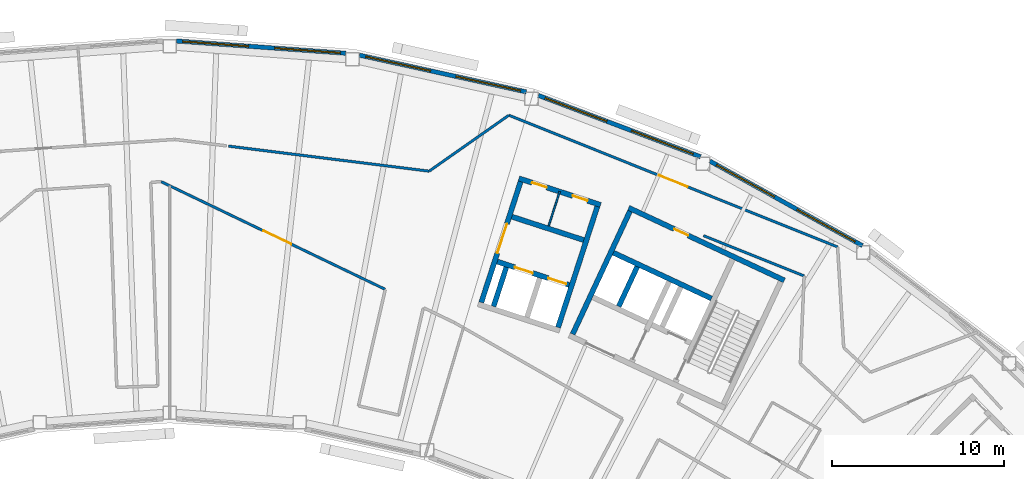
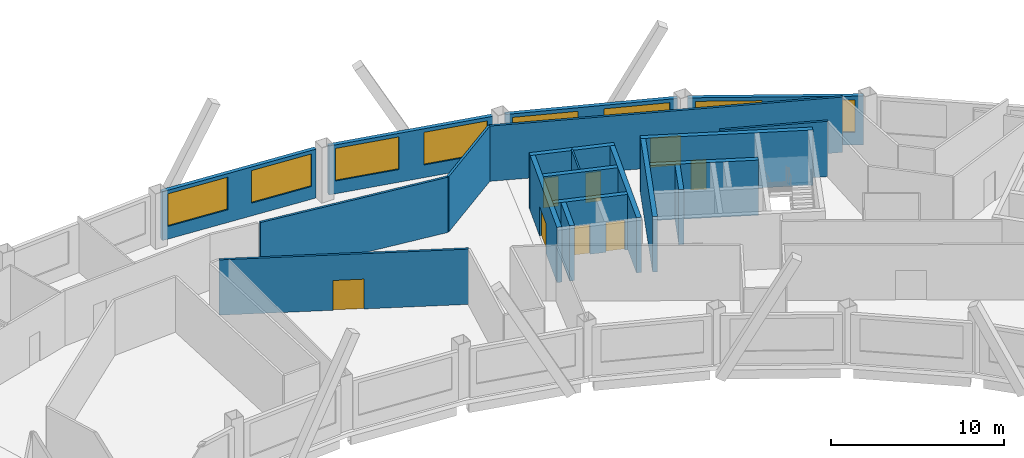
# One storey, part 9 of 12: 20 walls, 8 doors, 8 windows, 16 openings.
"""IFC4 building model written with IfcOpenShell, lengths in metres."""

from ifc_helpers import new_model, si_unit, direction, frame, frame_2d, origin, place, context, subcontext, project, spatial, rectangle, extrude, material, layer, layer_set, type_object, element, fill, save


model = new_model("IFC4")

# Units and contexts
model_context = context("Model", 3, precision=1e-05, world=origin(), true_north=direction((0.0, 1.0)))
body_context = subcontext(model_context, "Body", "Model", "MODEL_VIEW")
ifc_project = project(units=[si_unit("LENGTHUNIT", "METRE"), si_unit("AREAUNIT", "SQUARE_METRE"), si_unit("VOLUMEUNIT", "CUBIC_METRE"), si_unit("PLANEANGLEUNIT", "RADIAN"), si_unit("MASSUNIT", "GRAM", prefix="KILO")], contexts=[model_context])

# Site, building, storey
site_placement = place(None, origin())
site = spatial("IfcSite", under=ifc_project, at=site_placement, CompositionType="ELEMENT")
building_placement = place(site_placement, origin())
building = spatial("IfcBuilding", under=site, at=building_placement, Name="Tuul Gate Civic Tower", CompositionType="ELEMENT")
storey_placement = place(building_placement, frame((0.0, 0.0, 328.10009765625)))
storey = spatial("IfcBuildingStorey", under=building, at=storey_placement, Name="Level 74", CompositionType="ELEMENT", Elevation=328.10009765625)

# Wall
ifc_material_1 = material(Name="Concrete C50/60", Category="concrete")
ifc_layer_1 = layer(ifc_material_1, 0.300048828125)
ifc_layer_set_1 = layer_set([ifc_layer_1], Name="Concrete C50/60")
wall_type_1 = type_object("IfcWallType", Name="Core wall C50/60", PredefinedType="SHEAR", material=ifc_layer_set_1)
wall_1_placement = place(storey_placement, frame((33.75, -0.873779296875, 0.0), z_axis=(0.0, 0.0, 1.0), x_axis=(-0.906300917592, 0.422632992999, 0.0)))
element("IfcWall", 1, at=wall_1_placement, inside=storey, type_object=wall_type_1, Name="Core wall", PredefinedType="SHEAR", context=body_context, shape_type="SweptSolid", body=[
    extrude(rectangle(XDim=6.300048828125, YDim=0.300048828125, at=frame_2d((3.14990234375, 0.0))), origin(), (0.0, 0.0, 1.0), 3.89990234375),
])

# Wall, opening, door
wall_2_placement = place(storey_placement, frame((37.993408203125, 0.181884765625, 0.0), z_axis=(0.0, 0.0, 1.0), x_axis=(-0.906310338845, 0.422612789327, 0.0)))
wall_2 = element("IfcWall", 2, at=wall_2_placement, inside=storey, type_object=wall_type_1, Name="Core wall", PredefinedType="SHEAR", context=body_context, shape_type="SweptSolid", body=[
    extrude(rectangle(XDim=9.999755859375, YDim=0.300048828125, at=frame_2d((5.0, 0.0))), origin(), (0.0, 0.0, 1.0), 3.89990234375),
])
opening_1_placement = place(wall_2_placement, frame((6.175048828125, 0.0, 0.0)))
opening_1 = element("IfcOpeningElement", 3, at=opening_1_placement, cuts=wall_2, Name="Opening AB-D18", PredefinedType="OPENING", context=body_context, shape_type="SweptSolid", body=[
    extrude(rectangle(XDim=0.89990234375, YDim=2.10009765625, at=frame_2d((0.449951171875, 1.050048828125))), frame((0.0, 0.16015625, 0.0), z_axis=(0.0, -1.0, 0.0), x_axis=(1.0, 0.0, 0.0)), (0.0, 0.0, 1.0), 0.320068359375),
])
ifc_material_2 = material(Name="Timber door leaf", Category="wood")
door_type_1 = type_object("IfcDoorType", Name="Door D09", OperationType="NOTDEFINED", PredefinedType="DOOR", material=ifc_material_2)
door_1_placement = place(opening_1_placement, origin())
door_1 = element("IfcDoor", 4, at=door_1_placement, inside=storey, type_object=door_type_1, Name="Door AB-D18", OperationType="SINGLE_SWING_LEFT", OverallHeight=2.10009765625, OverallWidth=0.89990234375, PredefinedType="DOOR", context=body_context, shape_type="SweptSolid", body=[
    extrude(rectangle(XDim=0.89990234375, YDim=2.10009765625, at=frame_2d((0.449951171875, 1.050048828125))), frame((0.0, 0.02490234375, 0.0), z_axis=(0.0, -1.0, 0.0), x_axis=(1.0, 0.0, 0.0)), (0.0, 0.0, 1.0), 0.050048828125),
])
fill(opening_1, door_1)

# Walls
wall_3_placement = place(storey_placement, frame((28.349365234375, -1.33447265625, 0.0), z_axis=(0.0, 0.0, 1.0), x_axis=(0.422612891016, 0.906310291427, 0.0)))
element("IfcWall", 5, at=wall_3_placement, inside=storey, type_object=wall_type_1, Name="Core wall", PredefinedType="SHEAR", context=body_context, shape_type="SweptSolid", body=[
    extrude(rectangle(XDim=2.550048828125, YDim=0.300048828125, at=frame_2d((1.27490234375, 0.0))), origin(), (0.0, 0.0, 1.0), 3.89990234375),
])
wall_4_placement = place(storey_placement, frame((25.66455078125, -2.951416015625, 0.0), z_axis=(0.0, 0.0, 1.0), x_axis=(0.422582604137, 0.906324413596, 0.0)))
element("IfcWall", 6, at=wall_4_placement, inside=storey, type_object=wall_type_1, Name="Core wall", PredefinedType="SHEAR", context=body_context, shape_type="SweptSolid", body=[
    extrude(rectangle(XDim=7.89990234375, YDim=0.300048828125, at=frame_2d((3.949951171875, 0.0))), origin(), (0.0, 0.0, 1.0), 3.89990234375),
])

# Wall, opening, door
ifc_material_3 = material(Name="Gypsum board partition")
ifc_layer_2 = layer(ifc_material_3, 0.14990234375)
ifc_layer_set_2 = layer_set([ifc_layer_2], Name="Gypsum board partition")
wall_type_2 = type_object("IfcWallType", Name="Corridor wall P150", PredefinedType="PARTITIONING", material=ifc_layer_set_2)
wall_5_placement = place(storey_placement, frame((21.94970703125, 9.802490234375, 0.0), z_axis=(0.0, 0.0, 1.0), x_axis=(0.928202204222, -0.372076158975, 0.0)))
wall_5 = element("IfcWall", 7, at=wall_5_placement, inside=storey, type_object=wall_type_2, Name="p011", PredefinedType="PARTITIONING", context=body_context, shape_type="SweptSolid", body=[
    extrude(rectangle(XDim=20.629638671875, YDim=0.14990234375, at=frame_2d((10.31494140625, 0.0))), origin(), (0.0, 0.0, 1.0), 3.89990234375),
])
opening_2_placement = place(wall_5_placement, frame((9.414794921875, 0.0, 0.0)))
opening_2 = element("IfcOpeningElement", 8, at=opening_2_placement, cuts=wall_5, Name="Opening AB-D01", PredefinedType="OPENING", context=body_context, shape_type="SweptSolid", body=[
    extrude(rectangle(XDim=1.800048828125, YDim=2.10009765625, at=frame_2d((0.89990234375, 1.050048828125))), frame((0.0, 0.0849609375, 0.0), z_axis=(0.0, -1.0, 0.0), x_axis=(1.0, 0.0, 0.0)), (0.0, 0.0, 1.0), 0.169921875),
])
ifc_material_4 = material(Name="Timber door leaf, double", Category="wood")
door_type_2 = type_object("IfcDoorType", Name="Door D18", OperationType="DOUBLE_DOOR_SINGLE_SWING", PredefinedType="DOOR", material=ifc_material_4)
door_2_placement = place(opening_2_placement, origin())
door_2 = element("IfcDoor", 9, at=door_2_placement, inside=storey, type_object=door_type_2, Name="Door AB-D01", OperationType="DOUBLE_DOOR_SINGLE_SWING", OverallHeight=2.10009765625, OverallWidth=1.800048828125, PredefinedType="DOOR", context=body_context, shape_type="SweptSolid", body=[
    extrude(rectangle(XDim=1.800048828125, YDim=2.10009765625, at=frame_2d((0.89990234375, 1.050048828125))), frame((0.0, 0.02490234375, 0.0), z_axis=(0.0, -1.0, 0.0), x_axis=(1.0, 0.0, 0.0)), (0.0, 0.0, 1.0), 0.050048828125),
])
fill(opening_2, door_2)

# Walls
wall_6_placement = place(storey_placement, frame((17.305908203125, 6.5439453125, 0.0), z_axis=(0.0, 0.0, 1.0), x_axis=(0.818578347198, 0.574394889861, 0.0)))
element("IfcWall", 10, at=wall_6_placement, inside=storey, type_object=wall_type_2, Name="p012", PredefinedType="PARTITIONING", context=body_context, shape_type="SweptSolid", body=[
    extrude(rectangle(XDim=5.673095703125, YDim=0.14990234375, at=frame_2d((2.83642578125, 0.0))), origin(), (0.0, 0.0, 1.0), 3.89990234375),
])
wall_7_placement = place(storey_placement, frame((5.622802734375, 8.000732421875, 0.0), z_axis=(0.0, 0.0, 1.0), x_axis=(0.992297019346, -0.123881497396, 0.0)))
element("IfcWall", 11, at=wall_7_placement, inside=storey, type_object=wall_type_2, Name="p014", PredefinedType="PARTITIONING", context=body_context, shape_type="SweptSolid", body=[
    extrude(rectangle(XDim=11.765380859375, YDim=0.14990234375, at=frame_2d((5.8828125, 0.0))), origin(), (0.0, 0.0, 1.0), 3.89990234375),
])

# Wall, opening, door
wall_8_placement = place(storey_placement, frame((1.69091796875, 5.9326171875, 0.0), z_axis=(0.0, 0.0, 1.0), x_axis=(0.901298658641, -0.433198254766, 0.0)))
wall_8 = element("IfcWall", 12, at=wall_8_placement, inside=storey, type_object=wall_type_2, Name="p044", PredefinedType="PARTITIONING", context=body_context, shape_type="SweptSolid", body=[
    extrude(rectangle(XDim=14.47265625, YDim=0.14990234375, at=frame_2d((7.236328125, 0.0))), origin(), (0.0, 0.0, 1.0), 3.89990234375),
])
opening_3_placement = place(wall_8_placement, frame((6.6142578125, 0.0, 0.0)))
opening_3 = element("IfcOpeningElement", 13, at=opening_3_placement, cuts=wall_8, Name="Opening AB-D07", PredefinedType="OPENING", context=body_context, shape_type="SweptSolid", body=[
    extrude(rectangle(XDim=1.800048828125, YDim=2.10009765625, at=frame_2d((0.89990234375, 1.050048828125))), frame((0.0, 0.0849609375, 0.0), z_axis=(0.0, -1.0, 0.0), x_axis=(1.0, 0.0, 0.0)), (0.0, 0.0, 1.0), 0.169921875),
])
door_3_placement = place(opening_3_placement, frame((1.800048828125, 0.0, 0.0), z_axis=(0.0, 0.0, 1.0), x_axis=(-1.0, 0.0, 0.0)))
door_3 = element("IfcDoor", 14, at=door_3_placement, inside=storey, type_object=door_type_2, Name="Door AB-D07", OperationType="DOUBLE_DOOR_SINGLE_SWING", OverallHeight=2.10009765625, OverallWidth=1.800048828125, PredefinedType="DOOR", context=body_context, shape_type="SweptSolid", body=[
    extrude(rectangle(XDim=1.800048828125, YDim=2.10009765625, at=frame_2d((0.900146484375, 1.050048828125))), frame((0.0, 0.02490234375, 0.0), z_axis=(0.0, -1.0, 0.0), x_axis=(1.0, 0.0, 0.0)), (0.0, 0.0, 1.0), 0.050048828125),
])
fill(opening_3, door_3)

# Wall
wall_9_placement = place(storey_placement, frame((33.290771484375, 2.784912109375, 0.0), z_axis=(0.0, 0.0, 1.0), x_axis=(0.928223080545, -0.37202407549, 0.0)))
element("IfcWall", 15, at=wall_9_placement, inside=storey, type_object=wall_type_2, Name="p079", PredefinedType="PARTITIONING", context=body_context, shape_type="SweptSolid", body=[
    extrude(rectangle(XDim=6.3125, YDim=0.14990234375, at=frame_2d((3.15625, 0.0))), origin(), (0.0, 0.0, 1.0), 3.89990234375),
])

# Wall, openings, windows
ifc_material_5 = material(Name="Precast concrete C40/50", Category="concrete")
ifc_layer_3 = layer(ifc_material_5, 0.25)
ifc_layer_set_3 = layer_set([ifc_layer_3], Name="Precast concrete C40/50")
wall_type_3 = type_object("IfcWallType", Name="External wall", PredefinedType="STANDARD", material=ifc_layer_set_3)
wall_10_placement = place(storey_placement, frame((42.54345703125, 2.205078125, 0.0), z_axis=(0.0, 0.0, 1.0), x_axis=(-0.87463511472, 0.484781823193, 0.0)))
wall_10 = element("IfcWall", 16, at=wall_10_placement, inside=storey, type_object=wall_type_3, Name="External wall", PredefinedType="STANDARD", context=body_context, shape_type="SweptSolid", body=[
    extrude(rectangle(XDim=10.161376953125, YDim=0.25, at=frame_2d((5.08056640625, 0.0))), origin(), (0.0, 0.0, 1.0), 3.449951171875),
])
opening_4_placement = place(wall_10_placement, frame((0.48974609375, 0.0, 0.89990234375)))
opening_4 = element("IfcOpeningElement", 17, at=opening_4_placement, cuts=wall_10, Name="Opening W22", PredefinedType="OPENING", context=body_context, shape_type="SweptSolid", body=[
    extrude(rectangle(XDim=3.85009765625, YDim=2.300048828125, at=frame_2d((1.925048828125, 1.14990234375))), frame((0.0, 0.135009765625, 0.0), z_axis=(0.0, -1.0, 0.0), x_axis=(1.0, 0.0, 0.0)), (0.0, 0.0, 1.0), 0.27001953125),
])
opening_5_placement = place(wall_10_placement, frame((5.861328125, 0.0, 0.89990234375)))
opening_5 = element("IfcOpeningElement", 18, at=opening_5_placement, cuts=wall_10, Name="Opening W22", PredefinedType="OPENING", context=body_context, shape_type="SweptSolid", body=[
    extrude(rectangle(XDim=3.85009765625, YDim=2.300048828125, at=frame_2d((1.925048828125, 1.14990234375))), frame((0.0, 0.135009765625, 0.0), z_axis=(0.0, -1.0, 0.0), x_axis=(1.0, 0.0, 0.0)), (0.0, 0.0, 1.0), 0.27001953125),
])
ifc_material_6 = material(Name="Glass", Category="glass")
window_type = type_object("IfcWindowType", Name="Window W22 3850 x 2300", PartitioningType="SINGLE_PANEL", PredefinedType="WINDOW", material=ifc_material_6)
window_1_placement = place(opening_4_placement, origin())
window_1 = element("IfcWindow", 19, at=window_1_placement, inside=storey, type_object=window_type, Name="Window", OverallHeight=2.300048828125, OverallWidth=3.85009765625, PartitioningType="SINGLE_PANEL", PredefinedType="WINDOW", context=body_context, shape_type="SweptSolid", body=[
    extrude(rectangle(XDim=3.85009765625, YDim=2.300048828125, at=frame_2d((1.925048828125, 1.14990234375))), frame((0.0, 0.030029296875, 0.0), z_axis=(0.0, -1.0, 0.0), x_axis=(1.0, 0.0, 0.0)), (0.0, 0.0, 1.0), 0.06005859375),
])
fill(opening_4, window_1)
window_2_placement = place(opening_5_placement, origin())
window_2 = element("IfcWindow", 20, at=window_2_placement, inside=storey, type_object=window_type, Name="Window", OverallHeight=2.300048828125, OverallWidth=3.85009765625, PartitioningType="SINGLE_PANEL", PredefinedType="WINDOW", context=body_context, shape_type="SweptSolid", body=[
    extrude(rectangle(XDim=3.85009765625, YDim=2.300048828125, at=frame_2d((1.925048828125, 1.14990234375))), frame((0.0, 0.030029296875, 0.0), z_axis=(0.0, -1.0, 0.0), x_axis=(1.0, 0.0, 0.0)), (0.0, 0.0, 1.0), 0.06005859375),
])
fill(opening_5, window_2)

wall_11_placement = place(storey_placement, frame((33.115478515625, 7.382080078125, 0.0), z_axis=(0.0, 0.0, 1.0), x_axis=(-0.93534700963, 0.353731496444, 0.0)))
wall_11 = element("IfcWall", 21, at=wall_11_placement, inside=storey, type_object=wall_type_3, Name="External wall", PredefinedType="STANDARD", context=body_context, shape_type="SweptSolid", body=[
    extrude(rectangle(XDim=10.099609375, YDim=0.25, at=frame_2d((5.0498046875, 0.0))), origin(), (0.0, 0.0, 1.0), 3.449951171875),
])
opening_6_placement = place(wall_11_placement, frame((0.45556640625, 0.0, 0.89990234375)))
opening_6 = element("IfcOpeningElement", 22, at=opening_6_placement, cuts=wall_11, Name="Opening W22", PredefinedType="OPENING", context=body_context, shape_type="SweptSolid", body=[
    extrude(rectangle(XDim=3.85009765625, YDim=2.300048828125, at=frame_2d((1.925048828125, 1.14990234375))), frame((0.0, 0.135009765625, 0.0), z_axis=(0.0, -1.0, 0.0), x_axis=(1.0, 0.0, 0.0)), (0.0, 0.0, 1.0), 0.27001953125),
])
opening_7_placement = place(wall_11_placement, frame((5.826904296875, 0.0, 0.89990234375)))
opening_7 = element("IfcOpeningElement", 23, at=opening_7_placement, cuts=wall_11, Name="Opening W22", PredefinedType="OPENING", context=body_context, shape_type="SweptSolid", body=[
    extrude(rectangle(XDim=3.85009765625, YDim=2.300048828125, at=frame_2d((1.925048828125, 1.14990234375))), frame((0.0, 0.135009765625, 0.0), z_axis=(0.0, -1.0, 0.0), x_axis=(1.0, 0.0, 0.0)), (0.0, 0.0, 1.0), 0.27001953125),
])
window_3_placement = place(opening_6_placement, origin())
window_3 = element("IfcWindow", 24, at=window_3_placement, inside=storey, type_object=window_type, Name="Window", OverallHeight=2.300048828125, OverallWidth=3.85009765625, PartitioningType="SINGLE_PANEL", PredefinedType="WINDOW", context=body_context, shape_type="SweptSolid", body=[
    extrude(rectangle(XDim=3.85009765625, YDim=2.300048828125, at=frame_2d((1.925048828125, 1.14990234375))), frame((0.0, 0.030029296875, 0.0), z_axis=(0.0, -1.0, 0.0), x_axis=(1.0, 0.0, 0.0)), (0.0, 0.0, 1.0), 0.06005859375),
])
fill(opening_6, window_3)
window_4_placement = place(opening_7_placement, origin())
window_4 = element("IfcWindow", 25, at=window_4_placement, inside=storey, type_object=window_type, Name="Window", OverallHeight=2.300048828125, OverallWidth=3.85009765625, PartitioningType="SINGLE_PANEL", PredefinedType="WINDOW", context=body_context, shape_type="SweptSolid", body=[
    extrude(rectangle(XDim=3.85009765625, YDim=2.300048828125, at=frame_2d((1.925048828125, 1.14990234375))), frame((0.0, 0.030029296875, 0.0), z_axis=(0.0, -1.0, 0.0), x_axis=(1.0, 0.0, 0.0)), (0.0, 0.0, 1.0), 0.06005859375),
])
fill(opening_7, window_4)

wall_12_placement = place(storey_placement, frame((22.9658203125, 11.157958984375, 0.0), z_axis=(0.0, 0.0, 1.0), x_axis=(-0.976563421064, 0.215229841426, 0.0)))
wall_12 = element("IfcWall", 26, at=wall_12_placement, inside=storey, type_object=wall_type_3, Name="External wall", PredefinedType="STANDARD", context=body_context, shape_type="SweptSolid", body=[
    extrude(rectangle(XDim=9.958251953125, YDim=0.25, at=frame_2d((4.97900390625, 0.0))), origin(), (0.0, 0.0, 1.0), 3.449951171875),
])
opening_8_placement = place(wall_12_placement, frame((0.346923828125, 0.0, 0.89990234375)))
opening_8 = element("IfcOpeningElement", 27, at=opening_8_placement, cuts=wall_12, Name="Opening W22", PredefinedType="OPENING", context=body_context, shape_type="SweptSolid", body=[
    extrude(rectangle(XDim=3.85009765625, YDim=2.300048828125, at=frame_2d((1.925048828125, 1.14990234375))), frame((0.0, 0.135009765625, 0.0), z_axis=(0.0, -1.0, 0.0), x_axis=(1.0, 0.0, 0.0)), (0.0, 0.0, 1.0), 0.27001953125),
])
opening_9_placement = place(wall_12_placement, frame((5.71826171875, 0.0, 0.89990234375)))
opening_9 = element("IfcOpeningElement", 28, at=opening_9_placement, cuts=wall_12, Name="Opening W22", PredefinedType="OPENING", context=body_context, shape_type="SweptSolid", body=[
    extrude(rectangle(XDim=3.85009765625, YDim=2.300048828125, at=frame_2d((1.925048828125, 1.14990234375))), frame((0.0, 0.135009765625, 0.0), z_axis=(0.0, -1.0, 0.0), x_axis=(1.0, 0.0, 0.0)), (0.0, 0.0, 1.0), 0.27001953125),
])
window_5_placement = place(opening_8_placement, origin())
window_5 = element("IfcWindow", 29, at=window_5_placement, inside=storey, type_object=window_type, Name="Window", OverallHeight=2.300048828125, OverallWidth=3.85009765625, PartitioningType="SINGLE_PANEL", PredefinedType="WINDOW", context=body_context, shape_type="SweptSolid", body=[
    extrude(rectangle(XDim=3.85009765625, YDim=2.300048828125, at=frame_2d((1.925048828125, 1.14990234375))), frame((0.0, 0.030029296875, 0.0), z_axis=(0.0, -1.0, 0.0), x_axis=(1.0, 0.0, 0.0)), (0.0, 0.0, 1.0), 0.06005859375),
])
fill(opening_8, window_5)
window_6_placement = place(opening_9_placement, origin())
window_6 = element("IfcWindow", 30, at=window_6_placement, inside=storey, type_object=window_type, Name="Window", OverallHeight=2.300048828125, OverallWidth=3.85009765625, PartitioningType="SINGLE_PANEL", PredefinedType="WINDOW", context=body_context, shape_type="SweptSolid", body=[
    extrude(rectangle(XDim=3.85009765625, YDim=2.300048828125, at=frame_2d((1.925048828125, 1.14990234375))), frame((0.0, 0.030029296875, 0.0), z_axis=(0.0, -1.0, 0.0), x_axis=(1.0, 0.0, 0.0)), (0.0, 0.0, 1.0), 0.06005859375),
])
fill(opening_9, window_6)

wall_13_placement = place(storey_placement, frame((12.44091796875, 13.411376953125, 0.0), z_axis=(0.0, 0.0, 1.0), x_axis=(-0.997387042659, 0.072243249762, 0.0)))
wall_13 = element("IfcWall", 31, at=wall_13_placement, inside=storey, type_object=wall_type_3, Name="External wall", PredefinedType="STANDARD", context=body_context, shape_type="SweptSolid", body=[
    extrude(rectangle(XDim=9.874755859375, YDim=0.25, at=frame_2d((4.9375, 0.0))), origin(), (0.0, 0.0, 1.0), 3.449951171875),
])
opening_10_placement = place(wall_13_placement, frame((0.303466796875, 0.0, 0.89990234375)))
opening_10 = element("IfcOpeningElement", 32, at=opening_10_placement, cuts=wall_13, Name="Opening W22", PredefinedType="OPENING", context=body_context, shape_type="SweptSolid", body=[
    extrude(rectangle(XDim=3.85009765625, YDim=2.300048828125, at=frame_2d((1.925048828125, 1.14990234375))), frame((0.0, 0.135009765625, 0.0), z_axis=(0.0, -1.0, 0.0), x_axis=(1.0, 0.0, 0.0)), (0.0, 0.0, 1.0), 0.27001953125),
])
opening_11_placement = place(wall_13_placement, frame((5.67431640625, 0.0, 0.89990234375)))
opening_11 = element("IfcOpeningElement", 33, at=opening_11_placement, cuts=wall_13, Name="Opening W22", PredefinedType="OPENING", context=body_context, shape_type="SweptSolid", body=[
    extrude(rectangle(XDim=3.85009765625, YDim=2.300048828125, at=frame_2d((1.925048828125, 1.14990234375))), frame((0.0, 0.135009765625, 0.0), z_axis=(0.0, -1.0, 0.0), x_axis=(1.0, 0.0, 0.0)), (0.0, 0.0, 1.0), 0.27001953125),
])
window_7_placement = place(opening_10_placement, origin())
window_7 = element("IfcWindow", 34, at=window_7_placement, inside=storey, type_object=window_type, Name="Window", OverallHeight=2.300048828125, OverallWidth=3.85009765625, PartitioningType="SINGLE_PANEL", PredefinedType="WINDOW", context=body_context, shape_type="SweptSolid", body=[
    extrude(rectangle(XDim=3.85009765625, YDim=2.300048828125, at=frame_2d((1.925048828125, 1.14990234375))), frame((0.0, 0.030029296875, 0.0), z_axis=(0.0, -1.0, 0.0), x_axis=(1.0, 0.0, 0.0)), (0.0, 0.0, 1.0), 0.06005859375),
])
fill(opening_10, window_7)
window_8_placement = place(opening_11_placement, origin())
window_8 = element("IfcWindow", 35, at=window_8_placement, inside=storey, type_object=window_type, Name="Window", OverallHeight=2.300048828125, OverallWidth=3.85009765625, PartitioningType="SINGLE_PANEL", PredefinedType="WINDOW", context=body_context, shape_type="SweptSolid", body=[
    extrude(rectangle(XDim=3.85009765625, YDim=2.300048828125, at=frame_2d((1.925048828125, 1.14990234375))), frame((0.0, 0.030029296875, 0.0), z_axis=(0.0, -1.0, 0.0), x_axis=(1.0, 0.0, 0.0)), (0.0, 0.0, 1.0), 0.06005859375),
])
fill(opening_11, window_8)

# Wall, openings, doors
ifc_material_7 = material(Name="Concrete C40/50", Category="concrete")
ifc_layer_4 = layer(ifc_material_7, 0.300048828125)
ifc_layer_set_4 = layer_set([ifc_layer_4], Name="Concrete C40/50")
wall_type_4 = type_object("IfcWallType", Name="Lift shaft wall C40/50", PredefinedType="STANDARD", material=ifc_layer_set_4)
wall_14_placement = place(storey_placement, frame((25.460693359375, -0.0859375, 0.0), z_axis=(0.0, 0.0, 1.0), x_axis=(-0.951063829732, 0.308994485023, 0.0)))
wall_14 = element("IfcWall", 36, at=wall_14_placement, inside=storey, type_object=wall_type_4, Name="Shaft wall", PredefinedType="STANDARD", context=body_context, shape_type="SweptSolid", body=[
    extrude(rectangle(XDim=4.400146484375, YDim=0.300048828125, at=frame_2d((2.2001953125, 0.0))), origin(), (0.0, 0.0, 1.0), 3.89990234375),
])
opening_12_placement = place(wall_14_placement, frame((0.175048828125, 0.0, 0.0)))
opening_12 = element("IfcOpeningElement", 37, at=opening_12_placement, cuts=wall_14, Name="Opening LD-H2", PredefinedType="OPENING", context=body_context, shape_type="SweptSolid", body=[
    extrude(rectangle(XDim=1.10009765625, YDim=2.10009765625, at=frame_2d((0.550048828125, 1.050048828125))), frame((0.0, 0.16015625, 0.0), z_axis=(0.0, -1.0, 0.0), x_axis=(1.0, 0.0, 0.0)), (0.0, 0.0, 1.0), 0.320068359375),
])
opening_13_placement = place(wall_14_placement, frame((2.22509765625, 0.0, 0.0)))
opening_13 = element("IfcOpeningElement", 38, at=opening_13_placement, cuts=wall_14, Name="Opening LD-H3", PredefinedType="OPENING", context=body_context, shape_type="SweptSolid", body=[
    extrude(rectangle(XDim=1.10009765625, YDim=2.10009765625, at=frame_2d((0.550048828125, 1.050048828125))), frame((0.0, 0.16015625, 0.0), z_axis=(0.0, -1.0, 0.0), x_axis=(1.0, 0.0, 0.0)), (0.0, 0.0, 1.0), 0.320068359375),
])
ifc_material_8 = material(Name="Stainless steel", Category="steel")
door_type_3 = type_object("IfcDoorType", Name="Landing door", OperationType="DOUBLE_DOOR_SLIDING", PredefinedType="DOOR", material=ifc_material_8)
door_4_placement = place(opening_12_placement, origin())
door_4 = element("IfcDoor", 39, at=door_4_placement, inside=storey, type_object=door_type_3, Name="High-rise lift H2 landing door", OperationType="DOUBLE_DOOR_SLIDING", OverallHeight=2.10009765625, OverallWidth=1.10009765625, PredefinedType="DOOR", context=body_context, shape_type="SweptSolid", body=[
    extrude(rectangle(XDim=1.10009765625, YDim=2.10009765625, at=frame_2d((0.550048828125, 1.050048828125))), frame((0.0, 0.02490234375, 0.0), z_axis=(0.0, -1.0, 0.0), x_axis=(1.0, 0.0, 0.0)), (0.0, 0.0, 1.0), 0.050048828125),
])
fill(opening_12, door_4)
door_5_placement = place(opening_13_placement, origin())
door_5 = element("IfcDoor", 40, at=door_5_placement, inside=storey, type_object=door_type_3, Name="High-rise lift H3 landing door", OperationType="DOUBLE_DOOR_SLIDING", OverallHeight=2.10009765625, OverallWidth=1.10009765625, PredefinedType="DOOR", context=body_context, shape_type="SweptSolid", body=[
    extrude(rectangle(XDim=1.10009765625, YDim=2.10009765625, at=frame_2d((0.550048828125, 1.050048828125))), frame((0.0, 0.02490234375, 0.0), z_axis=(0.0, -1.0, 0.0), x_axis=(1.0, 0.0, 0.0)), (0.0, 0.0, 1.0), 0.050048828125),
])
fill(opening_13, door_5)

# Wall
wall_15_placement = place(storey_placement, frame((26.310546875, 2.529541015625, 0.0), z_axis=(0.0, 0.0, 1.0), x_axis=(-0.951058531764, 0.30901079133, 0.0)))
element("IfcWall", 41, at=wall_15_placement, inside=storey, type_object=wall_type_4, Name="Shaft wall", PredefinedType="STANDARD", context=body_context, shape_type="SweptSolid", body=[
    extrude(rectangle(XDim=4.39990234375, YDim=0.300048828125, at=frame_2d((2.199951171875, 0.0))), origin(), (0.0, 0.0, 1.0), 3.89990234375),
])

# Wall, openings, doors
wall_16_placement = place(storey_placement, frame((27.29150390625, 4.57666015625, 0.0), z_axis=(0.0, 0.0, 1.0), x_axis=(-0.951067792613, 0.308982287281, 0.0)))
wall_16 = element("IfcWall", 42, at=wall_16_placement, inside=storey, type_object=wall_type_4, Name="Shaft wall", PredefinedType="STANDARD", context=body_context, shape_type="SweptSolid", body=[
    extrude(rectangle(XDim=5.0, YDim=0.300048828125, at=frame_2d((2.5, 0.0))), origin(), (0.0, 0.0, 1.0), 3.89990234375),
])
opening_14_placement = place(wall_16_placement, frame((0.800048828125, 0.0, 0.0)))
opening_14 = element("IfcOpeningElement", 43, at=opening_14_placement, cuts=wall_16, Name="Opening AB-D19", PredefinedType="OPENING", context=body_context, shape_type="SweptSolid", body=[
    extrude(rectangle(XDim=0.89990234375, YDim=2.10009765625, at=frame_2d((0.449951171875, 1.050048828125))), frame((0.0, 0.16015625, 0.0), z_axis=(0.0, -1.0, 0.0), x_axis=(1.0, 0.0, 0.0)), (0.0, 0.0, 1.0), 0.320068359375),
])
opening_15_placement = place(wall_16_placement, frame((3.300048828125, 0.0, 0.0)))
opening_15 = element("IfcOpeningElement", 44, at=opening_15_placement, cuts=wall_16, Name="Opening AB-D20", PredefinedType="OPENING", context=body_context, shape_type="SweptSolid", body=[
    extrude(rectangle(XDim=0.89990234375, YDim=2.10009765625, at=frame_2d((0.449951171875, 1.050048828125))), frame((0.0, 0.16015625, 0.0), z_axis=(0.0, -1.0, 0.0), x_axis=(1.0, 0.0, 0.0)), (0.0, 0.0, 1.0), 0.320068359375),
])
door_6_placement = place(opening_14_placement, origin())
door_6 = element("IfcDoor", 45, at=door_6_placement, inside=storey, type_object=door_type_1, Name="Door AB-D19", OperationType="SINGLE_SWING_LEFT", OverallHeight=2.10009765625, OverallWidth=0.89990234375, PredefinedType="DOOR", context=body_context, shape_type="SweptSolid", body=[
    extrude(rectangle(XDim=0.89990234375, YDim=2.10009765625, at=frame_2d((0.449951171875, 1.050048828125))), frame((0.0, 0.02490234375, 0.0), z_axis=(0.0, -1.0, 0.0), x_axis=(1.0, 0.0, 0.0)), (0.0, 0.0, 1.0), 0.050048828125),
])
fill(opening_14, door_6)
door_7_placement = place(opening_15_placement, origin())
door_7 = element("IfcDoor", 46, at=door_7_placement, inside=storey, type_object=door_type_1, Name="Door AB-D20", OperationType="SINGLE_SWING_RIGHT", OverallHeight=2.10009765625, OverallWidth=0.89990234375, PredefinedType="DOOR", context=body_context, shape_type="SweptSolid", body=[
    extrude(rectangle(XDim=0.89990234375, YDim=2.10009765625, at=frame_2d((0.449951171875, 1.050048828125))), frame((0.0, 0.02490234375, 0.0), z_axis=(0.0, -1.0, 0.0), x_axis=(1.0, 0.0, 0.0)), (0.0, 0.0, 1.0), 0.050048828125),
])
fill(opening_15, door_7)

# Walls
wall_17_placement = place(storey_placement, frame((24.815185546875, -2.557373046875, 0.0), z_axis=(0.0, 0.0, 1.0), x_axis=(0.30907264409, 0.951038432807, 0.0)))
element("IfcWall", 47, at=wall_17_placement, inside=storey, type_object=wall_type_4, Name="Shaft wall", PredefinedType="STANDARD", context=body_context, shape_type="SweptSolid", body=[
    extrude(rectangle(XDim=7.39990234375, YDim=0.300048828125, at=frame_2d((3.699951171875, 0.0))), origin(), (0.0, 0.0, 1.0), 3.89990234375),
])
wall_18_placement = place(storey_placement, frame((21.058349609375, -1.336669921875, 0.0), z_axis=(0.0, 0.0, 1.0), x_axis=(0.309138975195, 0.951016873675, 0.0)))
element("IfcWall", 48, at=wall_18_placement, inside=storey, type_object=wall_type_4, Name="Shaft wall", PredefinedType="STANDARD", context=body_context, shape_type="SweptSolid", body=[
    extrude(rectangle(XDim=2.400146484375, YDim=0.300048828125, at=frame_2d((1.2001953125, 0.0))), origin(), (0.0, 0.0, 1.0), 3.89990234375),
])

# Wall, opening, door
wall_19_placement = place(storey_placement, frame((20.34521484375, -1.10498046875, 0.0), z_axis=(0.0, 0.0, 1.0), x_axis=(0.30907264409, 0.951038432807, 0.0)))
wall_19 = element("IfcWall", 49, at=wall_19_placement, inside=storey, type_object=wall_type_4, Name="Shaft wall", PredefinedType="STANDARD", context=body_context, shape_type="SweptSolid", body=[
    extrude(rectangle(XDim=7.39990234375, YDim=0.300048828125, at=frame_2d((3.699951171875, 0.0))), origin(), (0.0, 0.0, 1.0), 3.89990234375),
])
opening_16_placement = place(wall_19_placement, frame((3.02490234375, 0.0, 0.0)))
opening_16 = element("IfcOpeningElement", 50, at=opening_16_placement, cuts=wall_19, Name="Opening LB-E4-LOBBY-1", PredefinedType="OPENING", context=body_context, shape_type="SweptSolid", body=[
    extrude(rectangle(XDim=1.800048828125, YDim=2.10009765625, at=frame_2d((0.89990234375, 1.050048828125))), frame((0.0, 0.16015625, 0.0), z_axis=(0.0, -1.0, 0.0), x_axis=(1.0, 0.0, 0.0)), (0.0, 0.0, 1.0), 0.320068359375),
])
ifc_material_9 = material(Name="Steel", Category="steel")
door_type_4 = type_object("IfcDoorType", Name="Lobby door", OperationType="DOUBLE_DOOR_SINGLE_SWING", PredefinedType="DOOR", material=ifc_material_9)
door_8_placement = place(opening_16_placement, frame((1.800048828125, 0.0, 0.0), z_axis=(0.0, 0.0, 1.0), x_axis=(-1.0, 0.0, 0.0)))
door_8 = element("IfcDoor", 51, at=door_8_placement, inside=storey, type_object=door_type_4, Name="Lobby door E4-LOBBY", OperationType="DOUBLE_DOOR_SINGLE_SWING", OverallHeight=2.10009765625, OverallWidth=1.800048828125, PredefinedType="DOOR", context=body_context, shape_type="SweptSolid", body=[
    extrude(rectangle(XDim=1.800048828125, YDim=2.10009765625, at=frame_2d((0.900146484375, 1.050048828125))), frame((0.0, 0.02490234375, 0.0), z_axis=(0.0, -1.0, 0.0), x_axis=(1.0, 0.0, 0.0)), (0.0, 0.0, 1.0), 0.050048828125),
])
fill(opening_16, door_8)

# Wall
ifc_material_10 = material(Name="Gypsum board partition")
ifc_layer_5 = layer(ifc_material_10, 0.10009765625)
ifc_layer_set_5 = layer_set([ifc_layer_5], Name="Gypsum board partition")
wall_type_5 = type_object("IfcWallType", Name="Partition P100", PredefinedType="PARTITIONING", material=ifc_layer_set_5)
wall_20_placement = place(storey_placement, frame((24.2646484375, 3.35205078125, 0.0), z_axis=(0.0, 0.0, 1.0), x_axis=(0.309138649025, 0.951016979701, 0.0)))
element("IfcWall", 52, at=wall_20_placement, inside=storey, type_object=wall_type_5, Name="bE4-BAND-0", PredefinedType="PARTITIONING", context=body_context, shape_type="SweptSolid", body=[
    extrude(rectangle(XDim=2.099853515625, YDim=0.10009765625, at=frame_2d((1.0498046875, 0.0))), origin(), (0.0, 0.0, 1.0), 3.89990234375),
])

save(model, "model.ifc")
